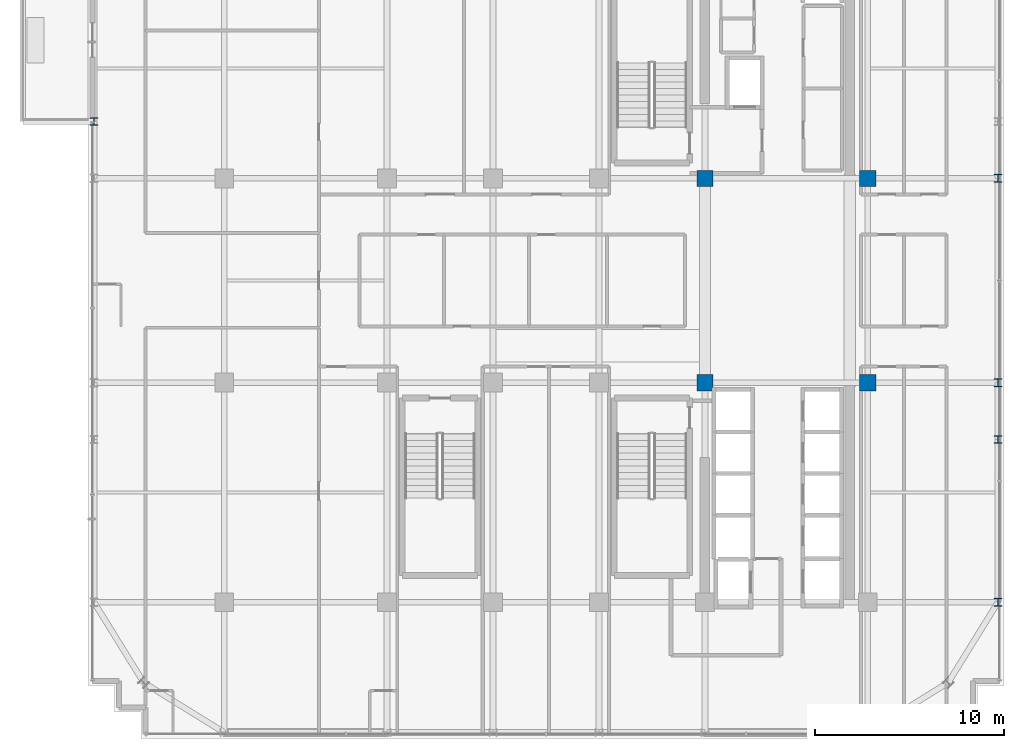
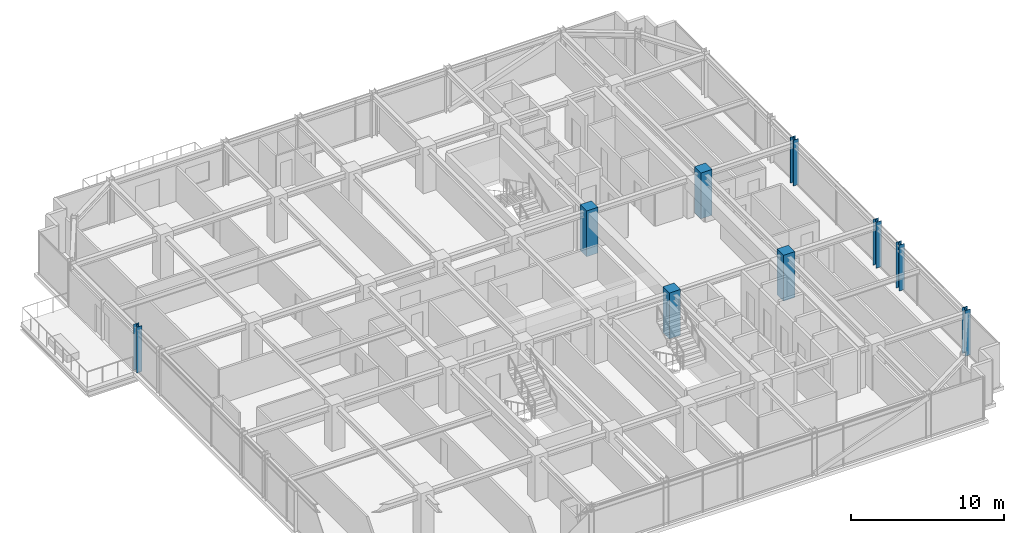
# One storey, part 2 of 36: 9 columns.
"""IFC4 building model written with IfcOpenShell, lengths in metres."""

import ifcopenshell
import ifcopenshell.guid

model = None  # the IFC model being written
_history = None  # IfcOwnerHistory: only IFC2X3 demands one
_inside = {}  # id of a spatial element -> (the spatial element, [elements in it])
_under = {}  # id of a project, library or spatial element -> (it, [spatial elements below it])
_declared = {}  # id of a project -> (the project, [libraries it declares])
_typed = {}  # id of a type object -> (the type object, [elements of that type])
_made_of = {}  # id of a material, layer set ... -> (it, [elements and type objects made of it])


def new_model(schema):
    """Start an empty IFC model of exactly this schema.

    Asked for "IFC4X3", IfcOpenShell would pick the latest addendum, in which some entities
    have other attributes; the version numbers below select the first issue.
    IFC2X3 requires an IfcOwnerHistory on every rooted entity: one is made here for all.
    """
    global model, _history
    if schema == "IFC4X3":
        model = ifcopenshell.file(schema_version=(4, 3, 0, 0))
    else:
        model = ifcopenshell.file(schema=schema)
    _inside.clear()
    _under.clear()
    _declared.clear()
    _typed.clear()
    _made_of.clear()
    _history = None
    if model.schema == "IFC2X3":
        org = make("IfcOrganization", Name="unknown")
        user = make(
            "IfcPersonAndOrganization",
            ThePerson=make("IfcPerson", FamilyName="unknown"),
            TheOrganization=org,
        )
        app = make(
            "IfcApplication",
            ApplicationDeveloper=org,
            Version="unknown",
            ApplicationFullName="unknown",
            ApplicationIdentifier="unknown",
        )
        _history = make(
            "IfcOwnerHistory",
            OwningUser=user,
            OwningApplication=app,
            ChangeAction="ADDED",
            CreationDate=0,
        )
    return model


def make(cls, **values):
    """One entity of the class cls with the attributes given. An attribute that is None is left unset."""
    return model.create_entity(
        cls, **{name: value for name, value in values.items() if value is not None}
    )


def rooted(cls, **values):
    """An entity with a GlobalId (a new one), such as an element, a storey or a relation."""
    return make(cls, GlobalId=ifcopenshell.guid.new(), OwnerHistory=_history, **values)


def si_unit(unit_type, name, prefix=None):
    """IfcSIUnit, for example si_unit("LENGTHUNIT", "METRE", prefix="MILLI")."""
    return make("IfcSIUnit", UnitType=unit_type, Prefix=prefix, Name=name)


def assignment(units):
    """IfcUnitAssignment: the units of a project."""
    return None if units is None else make("IfcUnitAssignment", Units=units)


def point(xyz):
    """IfcCartesianPoint."""
    return None if xyz is None else make("IfcCartesianPoint", Coordinates=xyz)


def direction(xyz):
    """IfcDirection."""
    return None if xyz is None else make("IfcDirection", DirectionRatios=xyz)


def frame(location, z_axis=None, x_axis=None):
    """IfcAxis2Placement3D, a coordinate frame: its origin and axes. An axis left out is left unset."""
    return make(
        "IfcAxis2Placement3D",
        Location=point(location),
        Axis=direction(z_axis),
        RefDirection=direction(x_axis),
    )


def frame_2d(location, x_axis=None):
    """IfcAxis2Placement2D, a coordinate frame in the plane: its origin and x axis."""
    return make(
        "IfcAxis2Placement2D", Location=point(location), RefDirection=direction(x_axis)
    )


def origin():
    """The frame at (0, 0, 0) with its axes left unset."""
    return frame((0.0, 0.0, 0.0))


def origin_2d():
    """The frame at (0, 0) in the plane with its x axis left unset."""
    return frame_2d((0.0, 0.0))


def place(relative_to, where):
    """IfcLocalPlacement: puts the frame where relative to a parent placement (None: the world)."""
    return make(
        "IfcLocalPlacement", PlacementRelTo=relative_to, RelativePlacement=where
    )


def context(
    kind, dimensions, precision=None, world=None, true_north=None, identifier=None
):
    """IfcGeometricRepresentationContext, for example the 3D "Model" context."""
    return make(
        "IfcGeometricRepresentationContext",
        ContextIdentifier=identifier,
        ContextType=kind,
        CoordinateSpaceDimension=dimensions,
        Precision=precision,
        WorldCoordinateSystem=world,
        TrueNorth=true_north,
    )


def subcontext(parent, identifier, kind, view, scale=None):
    """IfcGeometricRepresentationSubContext, for example "Body" below "Model"."""
    return make(
        "IfcGeometricRepresentationSubContext",
        ContextIdentifier=identifier,
        ContextType=kind,
        ParentContext=parent,
        TargetScale=scale,
        TargetView=view,
    )


def project(units=None, contexts=None):
    """IfcProject with its units and contexts."""
    return rooted(
        "IfcProject",
        Name="project",
        RepresentationContexts=contexts,
        UnitsInContext=assignment(units),
    )


def spatial(cls, under=None, at=None, **own):
    """A site, building, storey or space (cls), placed at a placement, below another one or the project."""
    s = rooted(cls, ObjectPlacement=at, **own)
    if under is not None:
        _under.setdefault(under.id(), (under, []))[1].append(s)
    return s


def profile(cls, at=None, kind="AREA", **sizes):
    """A parametric profile (cls). Its sizes go by their IFC names, for example OverallWidth=200.0."""
    return make(cls, ProfileType=kind, Position=at, **sizes)


def rectangle(**sizes):
    """IfcRectangleProfileDef."""
    return profile("IfcRectangleProfileDef", **sizes)


def i_section(**sizes):
    """IfcIShapeProfileDef."""
    return profile("IfcIShapeProfileDef", **sizes)


def extrude(swept, where, along, depth):
    """IfcExtrudedAreaSolid: the profile swept, set in the frame where, extruded along a direction by depth."""
    return make(
        "IfcExtrudedAreaSolid",
        SweptArea=swept,
        Position=where,
        ExtrudedDirection=direction(along),
        Depth=depth,
    )


def shape(context_of_items, identifier, shape_type, items):
    """IfcShapeRepresentation: the items that make up one representation, for example the "Body"."""
    return make(
        "IfcShapeRepresentation",
        ContextOfItems=context_of_items,
        RepresentationIdentifier=identifier,
        RepresentationType=shape_type,
        Items=items,
    )


def source(mapping_origin, context_of_items, identifier, shape_type, items):
    """IfcRepresentationMap: a shape defined once, which mapped items show again and again."""
    return make(
        "IfcRepresentationMap",
        MappingOrigin=mapping_origin,
        MappedRepresentation=shape(context_of_items, identifier, shape_type, items),
    )


def transform(
    local_origin,
    x_axis=None,
    y_axis=None,
    z_axis=None,
    scale=None,
    scale2=None,
    scale3=None,
    uniform=True,
):
    """IfcCartesianTransformationOperator3D, or its non-uniform kind. x_axis, y_axis, z_axis: its Axis1, 2, 3."""
    if uniform:
        return make(
            "IfcCartesianTransformationOperator3D",
            Axis1=direction(x_axis),
            Axis2=direction(y_axis),
            LocalOrigin=point(local_origin),
            Scale=scale,
            Axis3=direction(z_axis),
        )
    return make(
        "IfcCartesianTransformationOperator3DnonUniform",
        Axis1=direction(x_axis),
        Axis2=direction(y_axis),
        LocalOrigin=point(local_origin),
        Scale=scale,
        Axis3=direction(z_axis),
        Scale2=scale2,
        Scale3=scale3,
    )


def mapped(mapping_source, mapping_target):
    """IfcMappedItem: shows the shape of a source again, moved by a transform."""
    return make(
        "IfcMappedItem", MappingSource=mapping_source, MappingTarget=mapping_target
    )


def material(Name=None, Category=None):
    """IfcMaterial."""
    return make("IfcMaterial", Name=Name, Category=Category)


def material_profile(
    of_material, cross_section, Name=None, Category=None, Priority=None
):
    """IfcMaterialProfile: a cross section and its material."""
    return make(
        "IfcMaterialProfile",
        Name=Name,
        Material=of_material,
        Profile=cross_section,
        Priority=Priority,
        Category=Category,
    )


def profile_set(profiles, Name=None, composite=None):
    """IfcMaterialProfileSet."""
    return make(
        "IfcMaterialProfileSet",
        Name=Name,
        MaterialProfiles=profiles,
        CompositeProfile=composite,
    )


def made_of(thing, what):
    """Note that an element or type object is made of a material, layer set ...; save() writes the relation."""
    if what is not None:
        _made_of.setdefault(what.id(), (what, []))[1].append(thing)
    return thing


def type_object(cls, material=None, **own):
    """A type object (cls), such as IfcWallType, which elements share."""
    return made_of(rooted(cls, **own), material)


def element(
    cls,
    number,
    at=None,
    inside=None,
    cuts=None,
    type_object=None,
    material=None,
    context=None,
    identifier="Body",
    shape_type=None,
    held_by="IfcProductDefinitionShape",
    body=None,
    shapes=None,
    **own,
):
    """One element of the class cls, such as IfcWall. Its Tag is "e" and its number.

    at: its placement. inside: the storey or other place that contains it. cuts: it is an
    opening in that element (IfcRelVoidsElement). A single representation is given by context,
    identifier, shape_type and body (its items); several are given by shapes. held_by: the class
    of the entity that holds the representations. save() writes the other relations.
    """
    e = rooted(cls, Tag="e%d" % number, ObjectPlacement=at, **own)
    if body is not None:
        shapes = [shape(context, identifier, shape_type, body)]
    if shapes is not None:
        e.Representation = make(held_by, Representations=shapes)
    if inside is not None:
        _inside.setdefault(inside.id(), (inside, []))[1].append(e)
    if cuts is not None:
        rooted(
            "IfcRelVoidsElement", RelatingBuildingElement=cuts, RelatedOpeningElement=e
        )
    if type_object is not None:
        _typed.setdefault(type_object.id(), (type_object, []))[1].append(e)
    return made_of(e, material)


def aggregate(whole, parts):
    """IfcRelAggregates: a whole, such as a stair, and the parts it consists of."""
    return rooted("IfcRelAggregates", RelatingObject=whole, RelatedObjects=parts)


def save(model, path):
    """Write the relations noted so far, then the file.

    IfcRelAggregates (storeys below a building ...), IfcRelContainedInSpatialStructure (elements
    in a storey), IfcRelDefinesByType, IfcRelAssociatesMaterial and IfcRelDeclares: one each for
    every whole, place, type object, material and project.
    """
    for whole, parts in _under.values():
        aggregate(whole, parts)
    for where, things in _inside.values():
        rooted(
            "IfcRelContainedInSpatialStructure",
            RelatedElements=things,
            RelatingStructure=where,
        )
    for kind, things in _typed.values():
        rooted("IfcRelDefinesByType", RelatedObjects=things, RelatingType=kind)
    for what, things in _made_of.values():
        rooted("IfcRelAssociatesMaterial", RelatedObjects=things, RelatingMaterial=what)
    for by, libraries in _declared.values():
        rooted("IfcRelDeclares", RelatingContext=by, RelatedDefinitions=libraries)
    model.write(path)


model = new_model("IFC4")

# Units and contexts
model_context = context("Model", 3, precision=1e-05, world=origin(), true_north=direction((0.0, 1.0)))
body_context = subcontext(model_context, "Body", "Model", "MODEL_VIEW")
ifc_project = project(units=[si_unit("LENGTHUNIT", "METRE"), si_unit("AREAUNIT", "SQUARE_METRE"), si_unit("VOLUMEUNIT", "CUBIC_METRE"), si_unit("PLANEANGLEUNIT", "RADIAN"), si_unit("MASSUNIT", "GRAM", prefix="KILO")], contexts=[model_context])

# Site, building, storey
site_placement = place(None, origin())
site = spatial("IfcSite", under=ifc_project, at=site_placement, CompositionType="ELEMENT")
building_placement = place(site_placement, origin())
building = spatial("IfcBuilding", under=site, at=building_placement, Name="Nahalor Promenade Grand Hotel", CompositionType="ELEMENT")
storey_placement = place(building_placement, frame((0.0, 0.0, 241.89990234375)))
storey = spatial("IfcBuildingStorey", under=building, at=storey_placement, Name="L62", CompositionType="ELEMENT", Elevation=241.89990234375)

# Columns
ifc_material_1 = material(Name="Concrete B-70 (C60/75)", Category="concrete")
ifc_material_profile_1 = material_profile(ifc_material_1, rectangle(XDim=0.85, YDim=0.85, at=origin_2d()), Name="RC 850x850")
ifc_profile_set_1 = profile_set([ifc_material_profile_1], Name="Concrete B-70 (C60/75)")
column_type_1 = type_object("IfcColumnType", Name="Col-Pilaster-850", PredefinedType="PILASTER", material=ifc_profile_set_1)
shared_shape_1 = source(origin(), body_context, "Body", "SweptSolid", [
    extrude(rectangle(XDim=0.85, YDim=0.85, at=origin_2d()), origin(), (0.0, 0.0, 1.0), 3.655029296875),
])
for number, where, z_axis, x_axis, name in (
    (1, (8.39990234375, -5.39990234375, 0.0), (0.0, 0.0, 1.0), (1.0, 0.0, 0.0), "COL-L62-I41"),
    (2, (8.39990234375, 5.39990234375, 0.0), (0.0, 0.0, 1.0), (1.0, 0.0, 0.0), "COL-L62-I42"),
    (3, (17.0, -5.39990234375, 0.0), (0.0, 0.0, 1.0), (1.0, 0.0, 0.0), "COL-L62-I51"),
    (4, (17.0, 5.39990234375, 0.0), (0.0, 0.0, 1.0), (1.0, 0.0, 0.0), "COL-L62-I52"),
):
    element("IfcColumn", number, at=place(storey_placement, frame(where, z_axis=z_axis, x_axis=x_axis)), inside=storey, type_object=column_type_1, Name=name, PredefinedType="PILASTER", context=body_context, shape_type="MappedRepresentation", body=[
        mapped(shared_shape_1, transform((0.0, 0.0, 0.0), scale=1.0)),
    ])
ifc_material_2 = material(Name="Steel S355JR", Category="steel")
ifc_material_profile_2 = material_profile(ifc_material_2, i_section(OverallWidth=0.401, OverallDepth=0.406, WebThickness=0.0161, FlangeThickness=0.025, at=origin_2d()), Name="HD 400x314")
ifc_profile_set_2 = profile_set([ifc_material_profile_2], Name="Steel S355JR")
column_type_2 = type_object("IfcColumnType", Name="Col-Steel-HD314", PredefinedType="COLUMN", material=ifc_profile_set_2)
shared_shape_2 = source(origin(), body_context, "Body", "SweptSolid", [
    extrude(i_section(OverallWidth=0.401, OverallDepth=0.406, WebThickness=0.0161, FlangeThickness=0.025, at=origin_2d()), origin(), (0.0, 0.0, 1.0), 3.655029296875),
])
for number, where, z_axis, x_axis, name in (
    (5, (23.8798828125, -17.0, 0.0), (0.0, 0.0, 1.0), (1.0, 0.0, 0.0), "COL-L62-PW-E0"),
    (6, (23.8798828125, -8.39990234375, 0.0), (0.0, 0.0, 1.0), (1.0, 0.0, 0.0), "COL-L62-PW-E1"),
    (7, (23.8798828125, -5.39990234375, 0.0), (0.0, 0.0, 1.0), (1.0, 0.0, 0.0), "COL-L62-PW-E2"),
    (8, (23.8798828125, 5.39990234375, 0.0), (0.0, 0.0, 1.0), (1.0, 0.0, 0.0), "COL-L62-PW-E3"),
    (9, (-23.8798828125, 8.39990234375, 0.0), (0.0, 0.0, 1.0), (1.0, 0.0, 0.0), "COL-L62-PW-W4"),
):
    element("IfcColumn", number, at=place(storey_placement, frame(where, z_axis=z_axis, x_axis=x_axis)), inside=storey, type_object=column_type_2, Name=name, PredefinedType="COLUMN", context=body_context, shape_type="MappedRepresentation", body=[
        mapped(shared_shape_2, transform((0.0, 0.0, 0.0), scale=1.0)),
    ])

save(model, "model.ifc")
